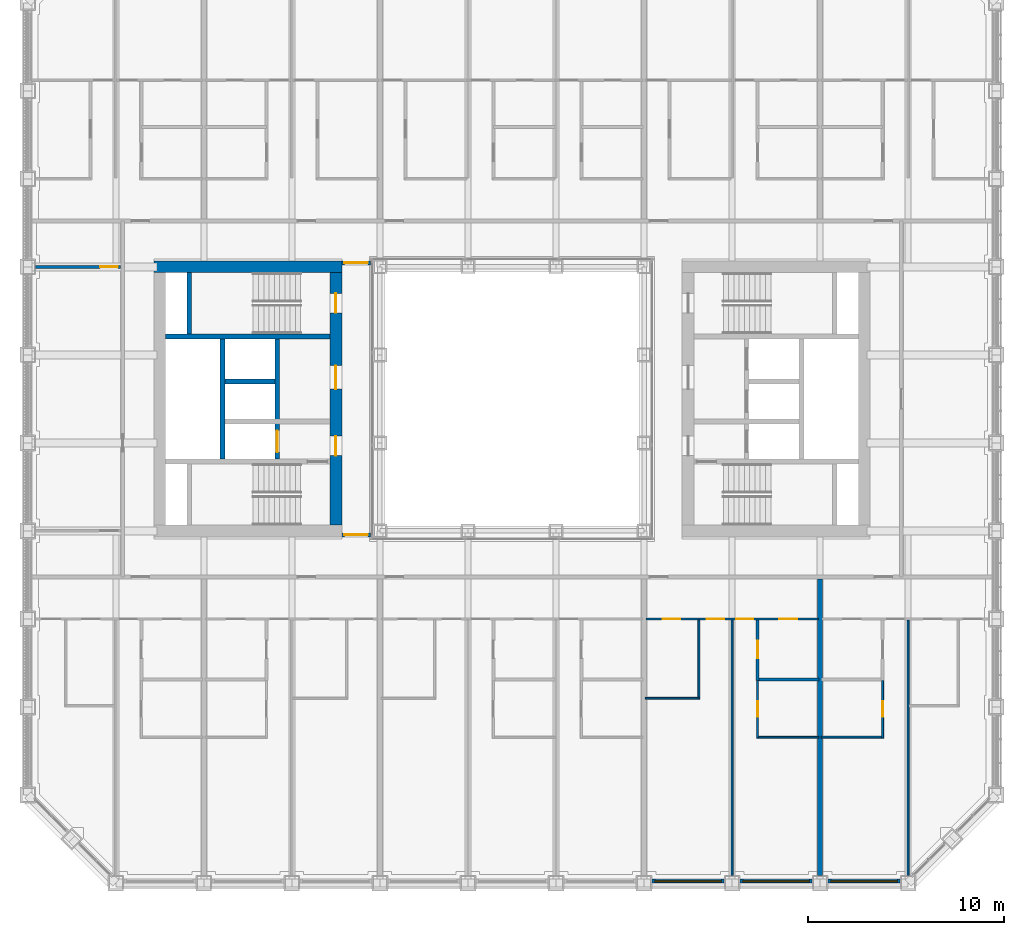
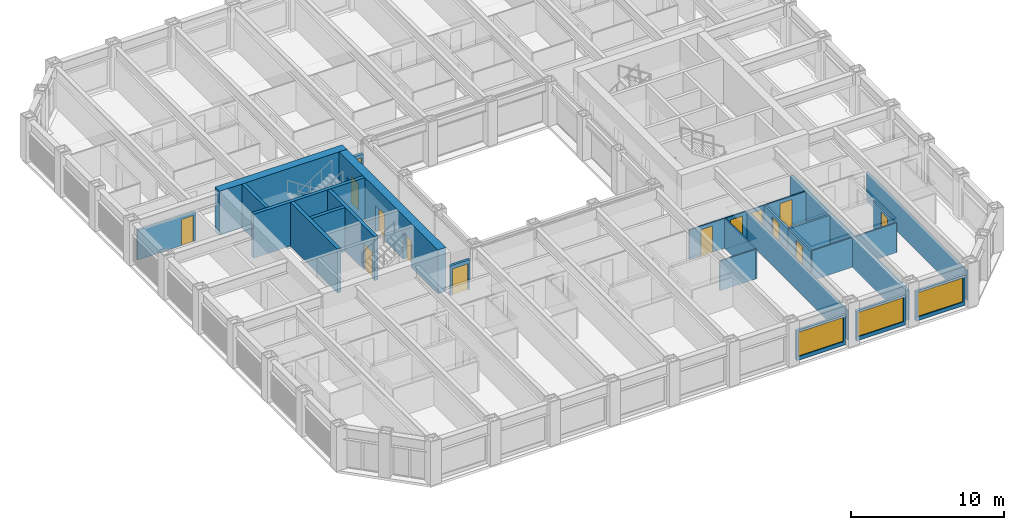
# One storey, part 11 of 21: 25 walls, 14 doors, 3 windows, 17 openings.
"""IFC4 building model written with IfcOpenShell, lengths in metres."""

from ifc_helpers import new_model, si_unit, direction, frame, frame_2d, origin, place, context, subcontext, project, spatial, rectangle, extrude, material, layer, layer_set, type_object, element, fill, save


model = new_model("IFC4")

# Units and contexts
model_context = context("Model", 3, precision=1e-05, world=origin(), true_north=direction((0.0, 1.0)))
body_context = subcontext(model_context, "Body", "Model", "MODEL_VIEW")
ifc_project = project(units=[si_unit("LENGTHUNIT", "METRE"), si_unit("AREAUNIT", "SQUARE_METRE"), si_unit("VOLUMEUNIT", "CUBIC_METRE"), si_unit("PLANEANGLEUNIT", "RADIAN"), si_unit("MASSUNIT", "GRAM", prefix="KILO")], contexts=[model_context])

# Site, building, storey
site_placement = place(None, origin())
site = spatial("IfcSite", under=ifc_project, at=site_placement, CompositionType="ELEMENT")
building_placement = place(site_placement, origin())
building = spatial("IfcBuilding", under=site, at=building_placement, Name="Msasa Ring Tower", CompositionType="ELEMENT")
storey_placement = place(building_placement, frame((0.0, 0.0, 54.5)))
storey = spatial("IfcBuildingStorey", under=building, at=storey_placement, Name="L13", CompositionType="ELEMENT", Elevation=54.5)

# Wall
ifc_material_1 = material(Name="Concrete C60/75", Category="concrete")
ifc_layer_1 = layer(ifc_material_1, 0.60009765625)
ifc_layer_set_1 = layer_set([ifc_layer_1], Name="CW1 CORE WALL 600")
wall_type_1 = type_object("IfcWallType", Name="CW1 CORE WALL 600", PredefinedType="SHEAR", material=ifc_layer_set_1)
wall_1_placement = place(storey_placement, frame((-8.699951171875, 6.75, 0.0), z_axis=(0.0, 0.0, 1.0), x_axis=(-1.0, 0.0, 0.0)))
element("IfcWall", 1, at=wall_1_placement, inside=storey, type_object=wall_type_1, Name="W core wall N L13", PredefinedType="SHEAR", context=body_context, shape_type="SweptSolid", body=[
    extrude(rectangle(XDim=9.60009765625, YDim=0.60009765625, at=frame_2d((4.800048828125, 0.0))), origin(), (0.0, 0.0, 1.0), 3.5),
])

# Wall, openings, doors
wall_2_placement = place(storey_placement, frame((-9.0, -6.449951171875, 0.0), z_axis=(0.0, 0.0, 1.0), x_axis=(0.0, 1.0, 0.0)))
wall_2 = element("IfcWall", 2, at=wall_2_placement, inside=storey, type_object=wall_type_1, Name="W core wall W L13", PredefinedType="SHEAR", context=body_context, shape_type="SweptSolid", body=[
    extrude(rectangle(XDim=12.89990234375, YDim=0.60009765625, at=frame_2d((6.449951171875, 0.0))), origin(), (0.0, 0.0, 1.0), 3.5),
])
opening_1_placement = place(wall_2_placement, frame((3.550048828125, 0.0, 0.0)))
opening_1 = element("IfcOpeningElement", 3, at=opening_1_placement, cuts=wall_2, Name="Opening RC-042", PredefinedType="OPENING", context=body_context, shape_type="SweptSolid", body=[
    extrude(rectangle(XDim=1.0, YDim=2.10009765625, at=frame_2d((0.5, 1.050048828125))), frame((0.0, 0.31005859375, 0.0), z_axis=(0.0, -1.0, 0.0), x_axis=(1.0, 0.0, 0.0)), (0.0, 0.0, 1.0), 0.6201171875),
])
opening_2_placement = place(wall_2_placement, frame((6.949951171875, 0.0, 0.0)))
opening_2 = element("IfcOpeningElement", 4, at=opening_2_placement, cuts=wall_2, Name="Opening RC-038", PredefinedType="OPENING", context=body_context, shape_type="SweptSolid", body=[
    extrude(rectangle(XDim=1.199951171875, YDim=2.10009765625, at=frame_2d((0.60009765625, 1.050048828125))), frame((0.0, 0.31005859375, 0.0), z_axis=(0.0, -1.0, 0.0), x_axis=(1.0, 0.0, 0.0)), (0.0, 0.0, 1.0), 0.6201171875),
])
opening_3_placement = place(wall_2_placement, frame((10.85009765625, 0.0, 0.0)))
opening_3 = element("IfcOpeningElement", 5, at=opening_3_placement, cuts=wall_2, Name="Opening RC-036", PredefinedType="OPENING", context=body_context, shape_type="SweptSolid", body=[
    extrude(rectangle(XDim=1.0, YDim=2.10009765625, at=frame_2d((0.5, 1.050048828125))), frame((0.0, 0.31005859375, 0.0), z_axis=(0.0, -1.0, 0.0), x_axis=(1.0, 0.0, 0.0)), (0.0, 0.0, 1.0), 0.6201171875),
])
ifc_material_2 = material(Name="Timber door leaf in a steel frame", Category="steel")
door_type_1 = type_object("IfcDoorType", Name="D26 WIDE SERVICE ROOM DOOR 1200x2100", OperationType="SINGLE_SWING_LEFT", PredefinedType="DOOR", material=ifc_material_2)
door_1_placement = place(opening_2_placement, origin())
door_1 = element("IfcDoor", 6, at=door_1_placement, inside=storey, type_object=door_type_1, Name="Door L13-WCR", OperationType="SINGLE_SWING_RIGHT", OverallHeight=2.10009765625, OverallWidth=1.199951171875, PredefinedType="DOOR", context=body_context, shape_type="SweptSolid", body=[
    extrude(rectangle(XDim=1.199951171875, YDim=2.10009765625, at=frame_2d((0.60009765625, 1.050048828125))), frame((0.0, 0.02490234375, 0.0), z_axis=(0.0, -1.0, 0.0), x_axis=(1.0, 0.0, 0.0)), (0.0, 0.0, 1.0), 0.050048828125),
])
fill(opening_2, door_1)
ifc_material_3 = material(Name="Timber door leaf in a steel frame", Category="steel")
door_type_2 = type_object("IfcDoorType", Name="D4 LOBBY DOOR 1000x2100", OperationType="SINGLE_SWING_LEFT", PredefinedType="DOOR", material=ifc_material_3)
door_2_placement = place(opening_1_placement, origin())
door_2 = element("IfcDoor", 7, at=door_2_placement, inside=storey, type_object=door_type_2, Name="Door L13-WFFL", OperationType="SINGLE_SWING_LEFT", OverallHeight=2.10009765625, OverallWidth=1.0, PredefinedType="DOOR", context=body_context, shape_type="SweptSolid", body=[
    extrude(rectangle(XDim=1.0, YDim=2.10009765625, at=frame_2d((0.5, 1.050048828125))), frame((0.0, 0.02490234375, 0.0), z_axis=(0.0, -1.0, 0.0), x_axis=(1.0, 0.0, 0.0)), (0.0, 0.0, 1.0), 0.050048828125),
])
fill(opening_1, door_2)
ifc_material_4 = material(Name="Timber door leaf in a steel frame", Category="steel")
door_type_3 = type_object("IfcDoorType", Name="D6 STAIR DOOR 1000x2100", OperationType="SINGLE_SWING_LEFT", PredefinedType="DOOR", material=ifc_material_4)
door_3_placement = place(opening_3_placement, origin())
door_3 = element("IfcDoor", 8, at=door_3_placement, inside=storey, type_object=door_type_3, Name="Door L13-WSTB", OperationType="SINGLE_SWING_RIGHT", OverallHeight=2.10009765625, OverallWidth=1.0, PredefinedType="DOOR", context=body_context, shape_type="SweptSolid", body=[
    extrude(rectangle(XDim=1.0, YDim=2.10009765625, at=frame_2d((0.5, 1.050048828125))), frame((0.0, 0.02490234375, 0.0), z_axis=(0.0, -1.0, 0.0), x_axis=(1.0, 0.0, 0.0)), (0.0, 0.0, 1.0), 0.050048828125),
])
fill(opening_3, door_3)

# Walls
ifc_material_5 = material(Name="Concrete C60/75", Category="concrete")
ifc_layer_2 = layer(ifc_material_5, 0.25)
ifc_layer_set_2 = layer_set([ifc_layer_2], Name="CW4 CORE INNER WALL 250")
wall_type_2 = type_object("IfcWallType", Name="CW4 CORE INNER WALL 250", PredefinedType="SHEAR", material=ifc_layer_set_2)
wall_3_placement = place(storey_placement, frame((-9.300048828125, 3.199951171875, 0.0), z_axis=(0.0, 0.0, 1.0), x_axis=(-1.0, 0.0, 0.0)))
element("IfcWall", 9, at=wall_3_placement, inside=storey, type_object=wall_type_2, Name="W core wall STAIRB L13", PredefinedType="SHEAR", context=body_context, shape_type="SweptSolid", body=[
    extrude(rectangle(XDim=8.39990234375, YDim=0.25, at=frame_2d((4.199951171875, 0.0))), origin(), (0.0, 0.0, 1.0), 3.5),
])
wall_4_placement = place(storey_placement, frame((-16.5, 3.324951171875, 0.0), z_axis=(0.0, 0.0, 1.0), x_axis=(0.0, 1.0, 0.0)))
element("IfcWall", 10, at=wall_4_placement, inside=storey, type_object=wall_type_2, Name="W core wall RISERB L13", PredefinedType="SHEAR", context=body_context, shape_type="SweptSolid", body=[
    extrude(rectangle(XDim=3.125, YDim=0.25, at=frame_2d((1.5625, 0.0))), origin(), (0.0, 0.0, 1.0), 3.5),
])

# Wall, opening, door
wall_5_placement = place(storey_placement, frame((-12.0, -3.074951171875, 0.0), z_axis=(0.0, 0.0, 1.0), x_axis=(0.0, 1.0, 0.0)))
wall_5 = element("IfcWall", 11, at=wall_5_placement, inside=storey, type_object=wall_type_2, Name="W core wall LOBBY L13", PredefinedType="SHEAR", context=body_context, shape_type="SweptSolid", body=[
    extrude(rectangle(XDim=6.14990234375, YDim=0.25, at=frame_2d((3.074951171875, 0.0))), origin(), (0.0, 0.0, 1.0), 3.5),
])
opening_4_placement = place(wall_5_placement, frame((0.35009765625, 0.0, 0.0)))
opening_4 = element("IfcOpeningElement", 12, at=opening_4_placement, cuts=wall_5, Name="Opening LD1", PredefinedType="OPENING", context=body_context, shape_type="SweptSolid", body=[
    extrude(rectangle(XDim=1.10009765625, YDim=2.10009765625, at=frame_2d((0.550048828125, 1.050048828125))), frame((0.0, 0.135009765625, 0.0), z_axis=(0.0, -1.0, 0.0), x_axis=(1.0, 0.0, 0.0)), (0.0, 0.0, 1.0), 0.27001953125),
])
ifc_material_6 = material(Name="Stainless steel lift landing door", Category="steel")
door_type_4 = type_object("IfcDoorType", Name="LD1 LIFT LANDING DOOR 1100x2100", OperationType="DOUBLE_DOOR_SLIDING", PredefinedType="DOOR", material=ifc_material_6)
door_4_placement = place(opening_4_placement, origin())
door_4 = element("IfcDoor", 13, at=door_4_placement, inside=storey, type_object=door_type_4, Name="Lift landing door FL-W L13", OperationType="DOUBLE_DOOR_SLIDING", OverallHeight=2.10009765625, OverallWidth=1.10009765625, PredefinedType="DOOR", context=body_context, shape_type="SweptSolid", body=[
    extrude(rectangle(XDim=1.10009765625, YDim=2.10009765625, at=frame_2d((0.550048828125, 1.050048828125))), frame((0.0, 0.02490234375, 0.0), z_axis=(0.0, -1.0, 0.0), x_axis=(1.0, 0.0, 0.0)), (0.0, 0.0, 1.0), 0.050048828125),
])
fill(opening_4, door_4)

# Walls
wall_6_placement = place(storey_placement, frame((-14.800048828125, -3.074951171875, 0.0), z_axis=(0.0, 0.0, 1.0), x_axis=(0.0, 1.0, 0.0)))
element("IfcWall", 14, at=wall_6_placement, inside=storey, type_object=wall_type_2, Name="W core wall SHAFT L13", PredefinedType="SHEAR", context=body_context, shape_type="SweptSolid", body=[
    extrude(rectangle(XDim=6.14990234375, YDim=0.25, at=frame_2d((3.074951171875, 0.0))), origin(), (0.0, 0.0, 1.0), 3.5),
])
wall_7_placement = place(storey_placement, frame((-12.125, 0.89990234375, 0.0), z_axis=(0.0, 0.0, 1.0), x_axis=(-1.0, 0.0, 0.0)))
element("IfcWall", 15, at=wall_7_placement, inside=storey, type_object=wall_type_2, Name="W core wall LIFT1 L13", PredefinedType="SHEAR", context=body_context, shape_type="SweptSolid", body=[
    extrude(rectangle(XDim=2.550048828125, YDim=0.25, at=frame_2d((1.27490234375, 0.0))), origin(), (0.0, 0.0, 1.0), 3.5),
])

# Wall, opening, window
ifc_material_7 = material(Name="Terracotta rainscreen on blockwork", Category="masonry")
ifc_layer_3 = layer(ifc_material_7, 0.199951171875)
ifc_layer_set_3 = layer_set([ifc_layer_3], Name="FW1 TERRACOTTA-LINED INFILL BAY WALL 200")
wall_type_3 = type_object("IfcWallType", Name="FW1 TERRACOTTA-LINED INFILL BAY WALL 200", PredefinedType="SOLIDWALL", material=ifc_layer_set_3)
wall_8_placement = place(storey_placement, frame((7.155029296875, -24.64990234375, 0.0), z_axis=(0.0, 0.0, 1.0), x_axis=(1.0, 0.0, 0.0)))
wall_8 = element("IfcWall", 16, at=wall_8_placement, inside=storey, type_object=wall_type_3, Name="Infill bay wall S L13 06", PredefinedType="SOLIDWALL", context=body_context, shape_type="SweptSolid", body=[
    extrude(rectangle(XDim=3.68994140625, YDim=0.199951171875, at=frame_2d((1.844970703125, 0.0))), origin(), (0.0, 0.0, 1.0), 2.37890625),
])
opening_5_placement = place(wall_8_placement, frame((0.14501953125, 0.0, 0.300048828125)))
opening_5 = element("IfcOpeningElement", 17, at=opening_5_placement, cuts=wall_8, Name="Opening WN1", PredefinedType="OPENING", context=body_context, shape_type="SweptSolid", body=[
    extrude(rectangle(XDim=3.39990234375, YDim=1.928955078125, at=frame_2d((1.699951171875, 0.96435546875))), frame((0.0, 0.10986328125, 0.0), z_axis=(0.0, -1.0, 0.0), x_axis=(1.0, 0.0, 0.0)), (0.0, 0.0, 1.0), 0.219970703125),
])
ifc_material_8 = material(Name="Aluminium frame with clear glass", Category="aluminium")
window_type = type_object("IfcWindowType", Name="WN1 RESIDENCE WINDOW 3400x1929", PartitioningType="SINGLE_PANEL", PredefinedType="WINDOW", material=ifc_material_8)
window_1_placement = place(opening_5_placement, origin())
window_1 = element("IfcWindow", 18, at=window_1_placement, inside=storey, type_object=window_type, Name="Window S L13 06", OverallHeight=1.928955078125, OverallWidth=3.39990234375, PartitioningType="SINGLE_PANEL", PredefinedType="WINDOW", context=body_context, shape_type="SweptSolid", body=[
    extrude(rectangle(XDim=3.39990234375, YDim=1.928955078125, at=frame_2d((1.699951171875, 0.96435546875))), frame((0.0, 0.030029296875, 0.0), z_axis=(0.0, -1.0, 0.0), x_axis=(1.0, 0.0, 0.0)), (0.0, 0.0, 1.0), 0.06005859375),
])
fill(opening_5, window_1)

wall_9_placement = place(storey_placement, frame((11.655029296875, -24.64990234375, 0.0), z_axis=(0.0, 0.0, 1.0), x_axis=(1.0, 0.0, 0.0)))
wall_9 = element("IfcWall", 19, at=wall_9_placement, inside=storey, type_object=wall_type_3, Name="Infill bay wall S L13 07", PredefinedType="SOLIDWALL", context=body_context, shape_type="SweptSolid", body=[
    extrude(rectangle(XDim=3.68994140625, YDim=0.199951171875, at=frame_2d((1.844970703125, 0.0))), origin(), (0.0, 0.0, 1.0), 2.37890625),
])
opening_6_placement = place(wall_9_placement, frame((0.14501953125, 0.0, 0.300048828125)))
opening_6 = element("IfcOpeningElement", 20, at=opening_6_placement, cuts=wall_9, Name="Opening WN1", PredefinedType="OPENING", context=body_context, shape_type="SweptSolid", body=[
    extrude(rectangle(XDim=3.39990234375, YDim=1.928955078125, at=frame_2d((1.699951171875, 0.96435546875))), frame((0.0, 0.10986328125, 0.0), z_axis=(0.0, -1.0, 0.0), x_axis=(1.0, 0.0, 0.0)), (0.0, 0.0, 1.0), 0.219970703125),
])
window_2_placement = place(opening_6_placement, origin())
window_2 = element("IfcWindow", 21, at=window_2_placement, inside=storey, type_object=window_type, Name="Window S L13 07", OverallHeight=1.928955078125, OverallWidth=3.39990234375, PartitioningType="SINGLE_PANEL", PredefinedType="WINDOW", context=body_context, shape_type="SweptSolid", body=[
    extrude(rectangle(XDim=3.39990234375, YDim=1.928955078125, at=frame_2d((1.699951171875, 0.96435546875))), frame((0.0, 0.030029296875, 0.0), z_axis=(0.0, -1.0, 0.0), x_axis=(1.0, 0.0, 0.0)), (0.0, 0.0, 1.0), 0.06005859375),
])
fill(opening_6, window_2)

wall_10_placement = place(storey_placement, frame((16.155029296875, -24.64990234375, 0.0), z_axis=(0.0, 0.0, 1.0), x_axis=(1.0, 0.0, 0.0)))
wall_10 = element("IfcWall", 22, at=wall_10_placement, inside=storey, type_object=wall_type_3, Name="Infill bay wall S L13 08", PredefinedType="SOLIDWALL", context=body_context, shape_type="SweptSolid", body=[
    extrude(rectangle(XDim=3.68994140625, YDim=0.199951171875, at=frame_2d((1.844970703125, 0.0))), origin(), (0.0, 0.0, 1.0), 2.37890625),
])
opening_7_placement = place(wall_10_placement, frame((0.14501953125, 0.0, 0.300048828125)))
opening_7 = element("IfcOpeningElement", 23, at=opening_7_placement, cuts=wall_10, Name="Opening WN1", PredefinedType="OPENING", context=body_context, shape_type="SweptSolid", body=[
    extrude(rectangle(XDim=3.39990234375, YDim=1.928955078125, at=frame_2d((1.699951171875, 0.96435546875))), frame((0.0, 0.10986328125, 0.0), z_axis=(0.0, -1.0, 0.0), x_axis=(1.0, 0.0, 0.0)), (0.0, 0.0, 1.0), 0.219970703125),
])
window_3_placement = place(opening_7_placement, origin())
window_3 = element("IfcWindow", 24, at=window_3_placement, inside=storey, type_object=window_type, Name="Window S L13 08", OverallHeight=1.928955078125, OverallWidth=3.39990234375, PartitioningType="SINGLE_PANEL", PredefinedType="WINDOW", context=body_context, shape_type="SweptSolid", body=[
    extrude(rectangle(XDim=3.39990234375, YDim=1.928955078125, at=frame_2d((1.699951171875, 0.96435546875))), frame((0.0, 0.030029296875, 0.0), z_axis=(0.0, -1.0, 0.0), x_axis=(1.0, 0.0, 0.0)), (0.0, 0.0, 1.0), 0.06005859375),
])
fill(opening_7, window_3)

# Wall, opening, door
ifc_material_9 = material(Name="Concrete blockwork", Category="masonry")
ifc_layer_4 = layer(ifc_material_9, 0.199951171875)
ifc_layer_set_4 = layer_set([ifc_layer_4], Name="PT1 CORRIDOR WALL 200")
wall_type_4 = type_object("IfcWallType", Name="PT1 CORRIDOR WALL 200", PredefinedType="PARTITIONING", material=ifc_layer_set_4)
wall_11_placement = place(storey_placement, frame((-8.699951171875, 6.949951171875, 0.0), z_axis=(0.0, 0.0, 1.0), x_axis=(1.0, 0.0, 0.0)))
wall_11 = element("IfcWall", 25, at=wall_11_placement, inside=storey, type_object=wall_type_4, Name="Corridor wall L13-SDWN", PredefinedType="PARTITIONING", context=body_context, shape_type="SweptSolid", body=[
    extrude(rectangle(XDim=1.469970703125, YDim=0.199951171875, at=frame_2d((0.73486328125, 0.0))), origin(), (0.0, 0.0, 1.0), 2.373291015625),
])
opening_8_placement = place(wall_11_placement, frame((0.135009765625, 0.0, 0.0)))
opening_8 = element("IfcOpeningElement", 26, at=opening_8_placement, cuts=wall_11, Name="Opening RC-034", PredefinedType="OPENING", context=body_context, shape_type="SweptSolid", body=[
    extrude(rectangle(XDim=1.199951171875, YDim=2.10009765625, at=frame_2d((0.60009765625, 1.050048828125))), frame((0.0, 0.10986328125, 0.0), z_axis=(0.0, -1.0, 0.0), x_axis=(1.0, 0.0, 0.0)), (0.0, 0.0, 1.0), 0.219970703125),
])
ifc_material_10 = material(Name="Timber door leaf in a steel frame", Category="steel")
door_type_5 = type_object("IfcDoorType", Name="D25 CORRIDOR PAIR OF SMOKE DOORS 1200x2100", OperationType="DOUBLE_DOOR_DOUBLE_SWING", PredefinedType="DOOR", material=ifc_material_10)
door_5_placement = place(opening_8_placement, origin())
door_5 = element("IfcDoor", 27, at=door_5_placement, inside=storey, type_object=door_type_5, Name="Door L13-SDWN", OperationType="DOUBLE_DOOR_DOUBLE_SWING", OverallHeight=2.10009765625, OverallWidth=1.199951171875, PredefinedType="DOOR", context=body_context, shape_type="SweptSolid", body=[
    extrude(rectangle(XDim=1.199951171875, YDim=2.10009765625, at=frame_2d((0.60009765625, 1.050048828125))), frame((0.0, 0.02490234375, 0.0), z_axis=(0.0, -1.0, 0.0), x_axis=(1.0, 0.0, 0.0)), (0.0, 0.0, 1.0), 0.050048828125),
])
fill(opening_8, door_5)

wall_12_placement = place(storey_placement, frame((-8.699951171875, -6.949951171875, 0.0), z_axis=(0.0, 0.0, 1.0), x_axis=(1.0, 0.0, 0.0)))
wall_12 = element("IfcWall", 28, at=wall_12_placement, inside=storey, type_object=wall_type_4, Name="Corridor wall L13-SDWS", PredefinedType="PARTITIONING", context=body_context, shape_type="SweptSolid", body=[
    extrude(rectangle(XDim=1.469970703125, YDim=0.199951171875, at=frame_2d((0.73486328125, 0.0))), origin(), (0.0, 0.0, 1.0), 2.373291015625),
])
opening_9_placement = place(wall_12_placement, frame((0.135009765625, 0.0, 0.0)))
opening_9 = element("IfcOpeningElement", 29, at=opening_9_placement, cuts=wall_12, Name="Opening RC-047", PredefinedType="OPENING", context=body_context, shape_type="SweptSolid", body=[
    extrude(rectangle(XDim=1.199951171875, YDim=2.10009765625, at=frame_2d((0.60009765625, 1.050048828125))), frame((0.0, 0.10986328125, 0.0), z_axis=(0.0, -1.0, 0.0), x_axis=(1.0, 0.0, 0.0)), (0.0, 0.0, 1.0), 0.219970703125),
])
door_6_placement = place(opening_9_placement, origin())
door_6 = element("IfcDoor", 30, at=door_6_placement, inside=storey, type_object=door_type_5, Name="Door L13-SDWS", OperationType="DOUBLE_DOOR_DOUBLE_SWING", OverallHeight=2.10009765625, OverallWidth=1.199951171875, PredefinedType="DOOR", context=body_context, shape_type="SweptSolid", body=[
    extrude(rectangle(XDim=1.199951171875, YDim=2.10009765625, at=frame_2d((0.60009765625, 1.050048828125))), frame((0.0, 0.02490234375, 0.0), z_axis=(0.0, -1.0, 0.0), x_axis=(1.0, 0.0, 0.0)), (0.0, 0.0, 1.0), 0.050048828125),
])
fill(opening_9, door_6)

# Wall, openings, doors
ifc_material_11 = material(Name="Gypsum board on steel studs", Category="steel")
ifc_layer_5 = layer(ifc_material_11, 0.10009765625)
ifc_layer_set_5 = layer_set([ifc_layer_5], Name="PT2 STUD PARTITION 100")
wall_type_5 = type_object("IfcWallType", Name="PT2 STUD PARTITION 100", PredefinedType="PARTITIONING", material=ifc_layer_set_5)
wall_13_placement = place(storey_placement, frame((6.85009765625, -11.25, 0.0), z_axis=(0.0, 0.0, 1.0), x_axis=(1.0, 0.0, 0.0)))
wall_13 = element("IfcWall", 31, at=wall_13_placement, inside=storey, type_object=wall_type_5, Name="Partition L13-US03HY", PredefinedType="PARTITIONING", context=body_context, shape_type="SweptSolid", body=[
    extrude(rectangle(XDim=8.7998046875, YDim=0.10009765625, at=frame_2d((4.39990234375, 0.0))), origin(), (0.0, 0.0, 1.0), 2.373291015625),
])
opening_10_placement = place(wall_13_placement, frame((0.85009765625, 0.0, 0.0)))
opening_10 = element("IfcOpeningElement", 32, at=opening_10_placement, cuts=wall_13, Name="Opening RC-066", PredefinedType="OPENING", context=body_context, shape_type="SweptSolid", body=[
    extrude(rectangle(XDim=0.89990234375, YDim=2.10009765625, at=frame_2d((0.449951171875, 1.050048828125))), frame((0.0, 0.06005859375, 0.0), z_axis=(0.0, -1.0, 0.0), x_axis=(1.0, 0.0, 0.0)), (0.0, 0.0, 1.0), 0.1201171875),
])
opening_11_placement = place(wall_13_placement, frame((3.10009765625, 0.0, 0.0)))
opening_11 = element("IfcOpeningElement", 33, at=opening_11_placement, cuts=wall_13, Name="Opening RC-067", PredefinedType="OPENING", context=body_context, shape_type="SweptSolid", body=[
    extrude(rectangle(XDim=0.89990234375, YDim=2.10009765625, at=frame_2d((0.449951171875, 1.050048828125))), frame((0.0, 0.06005859375, 0.0), z_axis=(0.0, -1.0, 0.0), x_axis=(1.0, 0.0, 0.0)), (0.0, 0.0, 1.0), 0.1201171875),
])
opening_12_placement = place(wall_13_placement, frame((4.625, 0.0, 0.0)))
opening_12 = element("IfcOpeningElement", 34, at=opening_12_placement, cuts=wall_13, Name="Opening RC-068", PredefinedType="OPENING", context=body_context, shape_type="SweptSolid", body=[
    extrude(rectangle(XDim=0.85009765625, YDim=2.10009765625, at=frame_2d((0.425048828125, 1.050048828125))), frame((0.0, 0.06005859375, 0.0), z_axis=(0.0, -1.0, 0.0), x_axis=(1.0, 0.0, 0.0)), (0.0, 0.0, 1.0), 0.1201171875),
])
opening_13_placement = place(wall_13_placement, frame((6.820068359375, 0.0, 0.0)))
opening_13 = element("IfcOpeningElement", 35, at=opening_13_placement, cuts=wall_13, Name="Opening RC-069", PredefinedType="OPENING", context=body_context, shape_type="SweptSolid", body=[
    extrude(rectangle(XDim=0.89990234375, YDim=2.10009765625, at=frame_2d((0.449951171875, 1.050048828125))), frame((0.0, 0.06005859375, 0.0), z_axis=(0.0, -1.0, 0.0), x_axis=(1.0, 0.0, 0.0)), (0.0, 0.0, 1.0), 0.1201171875),
])
ifc_material_12 = material(Name="Timber door leaf in a steel frame", Category="steel")
door_type_6 = type_object("IfcDoorType", Name="D14 BEDROOM DOOR 850x2100", OperationType="SINGLE_SWING_LEFT", PredefinedType="DOOR", material=ifc_material_12)
door_7_placement = place(opening_12_placement, origin())
door_7 = element("IfcDoor", 36, at=door_7_placement, inside=storey, type_object=door_type_6, Name="Door L13-US03R1", OperationType="SINGLE_SWING_RIGHT", OverallHeight=2.10009765625, OverallWidth=0.85009765625, PredefinedType="DOOR", context=body_context, shape_type="SweptSolid", body=[
    extrude(rectangle(XDim=0.85009765625, YDim=2.10009765625, at=frame_2d((0.425048828125, 1.050048828125))), frame((0.0, 0.02490234375, 0.0), z_axis=(0.0, -1.0, 0.0), x_axis=(1.0, 0.0, 0.0)), (0.0, 0.0, 1.0), 0.050048828125),
])
fill(opening_12, door_7)
ifc_material_13 = material(Name="Timber door leaf in a steel frame", Category="steel")
door_type_7 = type_object("IfcDoorType", Name="D22 INTERNAL HALL DOOR 900x2100", OperationType="SINGLE_SWING_LEFT", PredefinedType="DOOR", material=ifc_material_13)
door_8_placement = place(opening_10_placement, origin())
door_8 = element("IfcDoor", 37, at=door_8_placement, inside=storey, type_object=door_type_7, Name="Door L13-US03K", OperationType="SINGLE_SWING_LEFT", OverallHeight=2.10009765625, OverallWidth=0.89990234375, PredefinedType="DOOR", context=body_context, shape_type="SweptSolid", body=[
    extrude(rectangle(XDim=0.89990234375, YDim=2.10009765625, at=frame_2d((0.449951171875, 1.050048828125))), frame((0.0, 0.02490234375, 0.0), z_axis=(0.0, -1.0, 0.0), x_axis=(1.0, 0.0, 0.0)), (0.0, 0.0, 1.0), 0.050048828125),
])
fill(opening_10, door_8)
door_9_placement = place(opening_11_placement, origin())
door_9 = element("IfcDoor", 38, at=door_9_placement, inside=storey, type_object=door_type_7, Name="Door L13-US03L", OperationType="SINGLE_SWING_LEFT", OverallHeight=2.10009765625, OverallWidth=0.89990234375, PredefinedType="DOOR", context=body_context, shape_type="SweptSolid", body=[
    extrude(rectangle(XDim=0.89990234375, YDim=2.10009765625, at=frame_2d((0.449951171875, 1.050048828125))), frame((0.0, 0.02490234375, 0.0), z_axis=(0.0, -1.0, 0.0), x_axis=(1.0, 0.0, 0.0)), (0.0, 0.0, 1.0), 0.050048828125),
])
fill(opening_11, door_9)
ifc_material_14 = material(Name="Timber door leaf in a steel frame", Category="steel")
door_type_8 = type_object("IfcDoorType", Name="D3 BATHROOM DOOR 900x2100", OperationType="SINGLE_SWING_LEFT", PredefinedType="DOOR", material=ifc_material_14)
door_10_placement = place(opening_13_placement, origin())
door_10 = element("IfcDoor", 39, at=door_10_placement, inside=storey, type_object=door_type_8, Name="Door L13-US03BH1", OperationType="SINGLE_SWING_RIGHT", OverallHeight=2.10009765625, OverallWidth=0.89990234375, PredefinedType="DOOR", context=body_context, shape_type="SweptSolid", body=[
    extrude(rectangle(XDim=0.89990234375, YDim=2.10009765625, at=frame_2d((0.449951171875, 1.050048828125))), frame((0.0, 0.02490234375, 0.0), z_axis=(0.0, -1.0, 0.0), x_axis=(1.0, 0.0, 0.0)), (0.0, 0.0, 1.0), 0.050048828125),
])
fill(opening_13, door_10)

# Walls
wall_14_placement = place(storey_placement, frame((9.550048828125, -15.35009765625, 0.0), z_axis=(0.0, 0.0, 1.0), x_axis=(0.0, 1.0, 0.0)))
element("IfcWall", 40, at=wall_14_placement, inside=storey, type_object=wall_type_5, Name="Partition L13-US03KX", PredefinedType="PARTITIONING", context=body_context, shape_type="SweptSolid", body=[
    extrude(rectangle(XDim=4.050048828125, YDim=0.10009765625, at=frame_2d((2.02490234375, 0.0))), origin(), (0.0, 0.0, 1.0), 2.373291015625),
])
wall_15_placement = place(storey_placement, frame((6.81005859375, -15.300048828125, 0.0), z_axis=(0.0, 0.0, 1.0), x_axis=(1.0, 0.0, 0.0)))
element("IfcWall", 41, at=wall_15_placement, inside=storey, type_object=wall_type_5, Name="Partition L13-US03KY", PredefinedType="PARTITIONING", context=body_context, shape_type="SweptSolid", body=[
    extrude(rectangle(XDim=2.739990234375, YDim=0.10009765625, at=frame_2d((1.3701171875, 0.0))), origin(), (0.0, 0.0, 1.0), 2.373291015625),
])
wall_16_placement = place(storey_placement, frame((11.25, -24.35009765625, 0.0), z_axis=(0.0, 0.0, 1.0), x_axis=(0.0, 1.0, 0.0)))
element("IfcWall", 42, at=wall_16_placement, inside=storey, type_object=wall_type_5, Name="Partition L13-US03P1", PredefinedType="PARTITIONING", context=body_context, shape_type="SweptSolid", body=[
    extrude(rectangle(XDim=13.050048828125, YDim=0.10009765625, at=frame_2d((6.52490234375, 0.0))), origin(), (0.0, 0.0, 1.0), 2.373291015625),
])

# Wall, opening, door
wall_17_placement = place(storey_placement, frame((12.550048828125, -17.343505859375, 0.0), z_axis=(0.0, 0.0, 1.0), x_axis=(0.0, 1.0, 0.0)))
wall_17 = element("IfcWall", 43, at=wall_17_placement, inside=storey, type_object=wall_type_5, Name="Partition L13-US03WX1", PredefinedType="PARTITIONING", context=body_context, shape_type="SweptSolid", body=[
    extrude(rectangle(XDim=2.943603515625, YDim=0.10009765625, at=frame_2d((1.4716796875, 0.0))), origin(), (0.0, 0.0, 1.0), 2.373291015625),
])
opening_14_placement = place(wall_17_placement, frame((1.0966796875, 0.0, 0.0)))
opening_14 = element("IfcOpeningElement", 44, at=opening_14_placement, cuts=wall_17, Name="Opening RC-084", PredefinedType="OPENING", context=body_context, shape_type="SweptSolid", body=[
    extrude(rectangle(XDim=0.800048828125, YDim=2.10009765625, at=frame_2d((0.39990234375, 1.050048828125))), frame((0.0, 0.06005859375, 0.0), z_axis=(0.0, -1.0, 0.0), x_axis=(1.0, 0.0, 0.0)), (0.0, 0.0, 1.0), 0.1201171875),
])
ifc_material_15 = material(Name="Timber door leaf in a steel frame", Category="steel")
door_type_9 = type_object("IfcDoorType", Name="D60 DRESSING ROOM DOOR 800x2100", OperationType="SINGLE_SWING_LEFT", PredefinedType="DOOR", material=ifc_material_15)
door_11_placement = place(opening_14_placement, origin())
door_11 = element("IfcDoor", 45, at=door_11_placement, inside=storey, type_object=door_type_9, Name="Door L13-US03W1", OperationType="SINGLE_SWING_LEFT", OverallHeight=2.10009765625, OverallWidth=0.800048828125, PredefinedType="DOOR", context=body_context, shape_type="SweptSolid", body=[
    extrude(rectangle(XDim=0.800048828125, YDim=2.10009765625, at=frame_2d((0.39990234375, 1.050048828125))), frame((0.0, 0.02490234375, 0.0), z_axis=(0.0, -1.0, 0.0), x_axis=(1.0, 0.0, 0.0)), (0.0, 0.0, 1.0), 0.050048828125),
])
fill(opening_14, door_11)

# Walls
wall_18_placement = place(storey_placement, frame((12.550048828125, -17.29345703125, 0.0), z_axis=(0.0, 0.0, 1.0), x_axis=(1.0, 0.0, 0.0)))
element("IfcWall", 46, at=wall_18_placement, inside=storey, type_object=wall_type_5, Name="Partition L13-US03WY1", PredefinedType="PARTITIONING", context=body_context, shape_type="SweptSolid", body=[
    extrude(rectangle(XDim=3.139892578125, YDim=0.10009765625, at=frame_2d((1.56982421875, 0.0))), origin(), (0.0, 0.0, 1.0), 2.373291015625),
])
wall_19_placement = place(storey_placement, frame((20.25, -24.35009765625, 0.0), z_axis=(0.0, 0.0, 1.0), x_axis=(0.0, 1.0, 0.0)))
element("IfcWall", 47, at=wall_19_placement, inside=storey, type_object=wall_type_5, Name="Partition L13-US04P1", PredefinedType="PARTITIONING", context=body_context, shape_type="SweptSolid", body=[
    extrude(rectangle(XDim=13.050048828125, YDim=0.10009765625, at=frame_2d((6.52490234375, 0.0))), origin(), (0.0, 0.0, 1.0), 2.373291015625),
])

# Wall, opening, door
wall_20_placement = place(storey_placement, frame((18.949951171875, -17.3408203125, 0.0), z_axis=(0.0, 0.0, 1.0), x_axis=(0.0, 1.0, 0.0)))
wall_20 = element("IfcWall", 48, at=wall_20_placement, inside=storey, type_object=wall_type_5, Name="Partition L13-US04WX1", PredefinedType="PARTITIONING", context=body_context, shape_type="SweptSolid", body=[
    extrude(rectangle(XDim=2.94091796875, YDim=0.10009765625, at=frame_2d((1.470458984375, 0.0))), origin(), (0.0, 0.0, 1.0), 2.373291015625),
])
opening_15_placement = place(wall_20_placement, frame((1.095458984375, 0.0, 0.0)))
opening_15 = element("IfcOpeningElement", 49, at=opening_15_placement, cuts=wall_20, Name="Opening RC-085", PredefinedType="OPENING", context=body_context, shape_type="SweptSolid", body=[
    extrude(rectangle(XDim=0.800048828125, YDim=2.10009765625, at=frame_2d((0.39990234375, 1.050048828125))), frame((0.0, 0.06005859375, 0.0), z_axis=(0.0, -1.0, 0.0), x_axis=(1.0, 0.0, 0.0)), (0.0, 0.0, 1.0), 0.1201171875),
])
door_12_placement = place(opening_15_placement, origin())
door_12 = element("IfcDoor", 50, at=door_12_placement, inside=storey, type_object=door_type_9, Name="Door L13-US04W1", OperationType="SINGLE_SWING_LEFT", OverallHeight=2.10009765625, OverallWidth=0.800048828125, PredefinedType="DOOR", context=body_context, shape_type="SweptSolid", body=[
    extrude(rectangle(XDim=0.800048828125, YDim=2.10009765625, at=frame_2d((0.39990234375, 1.050048828125))), frame((0.0, 0.02490234375, 0.0), z_axis=(0.0, -1.0, 0.0), x_axis=(1.0, 0.0, 0.0)), (0.0, 0.0, 1.0), 0.050048828125),
])
fill(opening_15, door_12)

# Walls
wall_21_placement = place(storey_placement, frame((15.81005859375, -17.291015625, 0.0), z_axis=(0.0, 0.0, 1.0), x_axis=(1.0, 0.0, 0.0)))
element("IfcWall", 51, at=wall_21_placement, inside=storey, type_object=wall_type_5, Name="Partition L13-US04WY1", PredefinedType="PARTITIONING", context=body_context, shape_type="SweptSolid", body=[
    extrude(rectangle(XDim=3.139892578125, YDim=0.10009765625, at=frame_2d((1.56982421875, 0.0))), origin(), (0.0, 0.0, 1.0), 2.373291015625),
])
ifc_material_16 = material(Name="Dense concrete blockwork, plastered both faces", Category="masonry")
ifc_layer_6 = layer(ifc_material_16, 0.25)
ifc_layer_set_6 = layer_set([ifc_layer_6], Name="PT3 APARTMENT SEPARATING WALL 250")
wall_type_6 = type_object("IfcWallType", Name="PT3 APARTMENT SEPARATING WALL 250", PredefinedType="PARTITIONING", material=ifc_layer_set_6)
wall_22_placement = place(storey_placement, frame((15.75, -24.35009765625, 0.0), z_axis=(0.0, 0.0, 1.0), x_axis=(0.0, 1.0, 0.0)))
element("IfcWall", 52, at=wall_22_placement, inside=storey, type_object=wall_type_6, Name="Party wall L13-PWS+15.75", PredefinedType="PARTITIONING", context=body_context, shape_type="SweptSolid", body=[
    extrude(rectangle(XDim=15.150146484375, YDim=0.25, at=frame_2d((7.5751953125, 0.0))), origin(), (0.0, 0.0, 1.0), 2.373291015625),
])

# Wall, opening, door
ifc_material_17 = material(Name="Moisture-resistant board on steel studs with a concealed cistern and pipe void, tiled", Category="steel")
ifc_layer_7 = layer(ifc_material_17, 0.14990234375)
ifc_layer_set_7 = layer_set([ifc_layer_7], Name="PT4 BATHROOM WET WALL 150")
wall_type_7 = type_object("IfcWallType", Name="PT4 BATHROOM WET WALL 150", PredefinedType="PARTITIONING", material=ifc_layer_set_7)
wall_23_placement = place(storey_placement, frame((12.550048828125, -14.39990234375, 0.0), z_axis=(0.0, 0.0, 1.0), x_axis=(0.0, 1.0, 0.0)))
wall_23 = element("IfcWall", 53, at=wall_23_placement, inside=storey, type_object=wall_type_7, Name="Partition L13-US03BX1", PredefinedType="PARTITIONING", context=body_context, shape_type="SweptSolid", body=[
    extrude(rectangle(XDim=3.099853515625, YDim=0.14990234375, at=frame_2d((1.5498046875, 0.0))), origin(), (0.0, 0.0, 1.0), 2.373291015625),
])
opening_16_placement = place(wall_23_placement, frame((1.14990234375, 0.0, 0.0)))
opening_16 = element("IfcOpeningElement", 54, at=opening_16_placement, cuts=wall_23, Name="Opening RC-078", PredefinedType="OPENING", context=body_context, shape_type="SweptSolid", body=[
    extrude(rectangle(XDim=0.89990234375, YDim=2.10009765625, at=frame_2d((0.449951171875, 1.050048828125))), frame((0.0, 0.0849609375, 0.0), z_axis=(0.0, -1.0, 0.0), x_axis=(1.0, 0.0, 0.0)), (0.0, 0.0, 1.0), 0.169921875),
])
door_13_placement = place(opening_16_placement, origin())
door_13 = element("IfcDoor", 55, at=door_13_placement, inside=storey, type_object=door_type_8, Name="Door L13-US03B1", OperationType="SINGLE_SWING_RIGHT", OverallHeight=2.10009765625, OverallWidth=0.89990234375, PredefinedType="DOOR", context=body_context, shape_type="SweptSolid", body=[
    extrude(rectangle(XDim=0.89990234375, YDim=2.10009765625, at=frame_2d((0.449951171875, 1.050048828125))), frame((0.0, 0.02490234375, 0.0), z_axis=(0.0, -1.0, 0.0), x_axis=(1.0, 0.0, 0.0)), (0.0, 0.0, 1.0), 0.050048828125),
])
fill(opening_16, door_13)

# Wall
wall_24_placement = place(storey_placement, frame((12.550048828125, -14.35009765625, 0.0), z_axis=(0.0, 0.0, 1.0), x_axis=(1.0, 0.0, 0.0)))
element("IfcWall", 56, at=wall_24_placement, inside=storey, type_object=wall_type_7, Name="Partition L13-US03BY1", PredefinedType="PARTITIONING", context=body_context, shape_type="SweptSolid", body=[
    extrude(rectangle(XDim=3.139892578125, YDim=0.14990234375, at=frame_2d((1.56982421875, 0.0))), origin(), (0.0, 0.0, 1.0), 2.373291015625),
])

# Wall, opening, door
wall_25_placement = place(storey_placement, frame((-24.35009765625, 6.75, 0.0), z_axis=(0.0, 0.0, 1.0), x_axis=(1.0, 0.0, 0.0)))
wall_25 = element("IfcWall", 57, at=wall_25_placement, inside=storey, type_object=wall_type_7, Name="Partition L13-STWBY", PredefinedType="PARTITIONING", context=body_context, shape_type="SweptSolid", body=[
    extrude(rectangle(XDim=4.35009765625, YDim=0.14990234375, at=frame_2d((2.175048828125, 0.0))), origin(), (0.0, 0.0, 1.0), 2.373291015625),
])
opening_17_placement = place(wall_25_placement, frame((3.300048828125, 0.0, 0.0)))
opening_17 = element("IfcOpeningElement", 58, at=opening_17_placement, cuts=wall_25, Name="Opening RC-035", PredefinedType="OPENING", context=body_context, shape_type="SweptSolid", body=[
    extrude(rectangle(XDim=0.89990234375, YDim=2.10009765625, at=frame_2d((0.449951171875, 1.050048828125))), frame((0.0, 0.0849609375, 0.0), z_axis=(0.0, -1.0, 0.0), x_axis=(1.0, 0.0, 0.0)), (0.0, 0.0, 1.0), 0.169921875),
])
door_14_placement = place(opening_17_placement, origin())
door_14 = element("IfcDoor", 59, at=door_14_placement, inside=storey, type_object=door_type_8, Name="Door L13-STWB", OperationType="SINGLE_SWING_RIGHT", OverallHeight=2.10009765625, OverallWidth=0.89990234375, PredefinedType="DOOR", context=body_context, shape_type="SweptSolid", body=[
    extrude(rectangle(XDim=0.89990234375, YDim=2.10009765625, at=frame_2d((0.449951171875, 1.050048828125))), frame((0.0, 0.02490234375, 0.0), z_axis=(0.0, -1.0, 0.0), x_axis=(1.0, 0.0, 0.0)), (0.0, 0.0, 1.0), 0.050048828125),
])
fill(opening_17, door_14)

save(model, "model.ifc")
